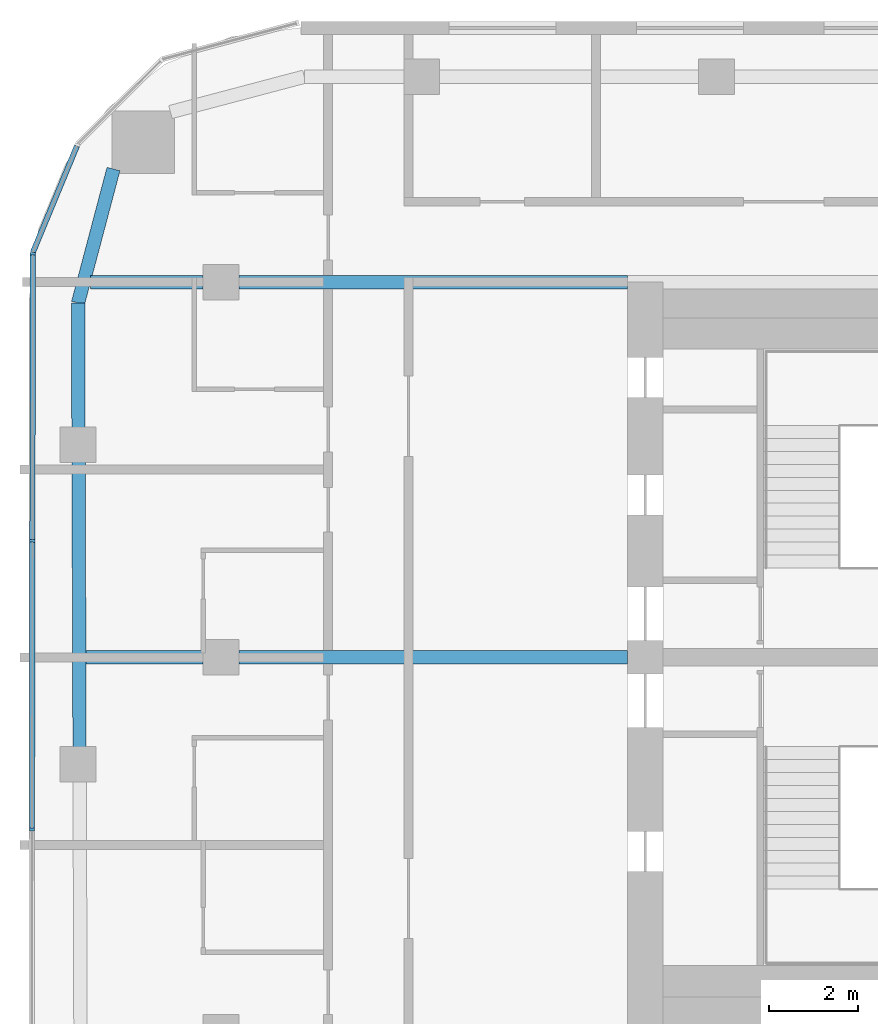
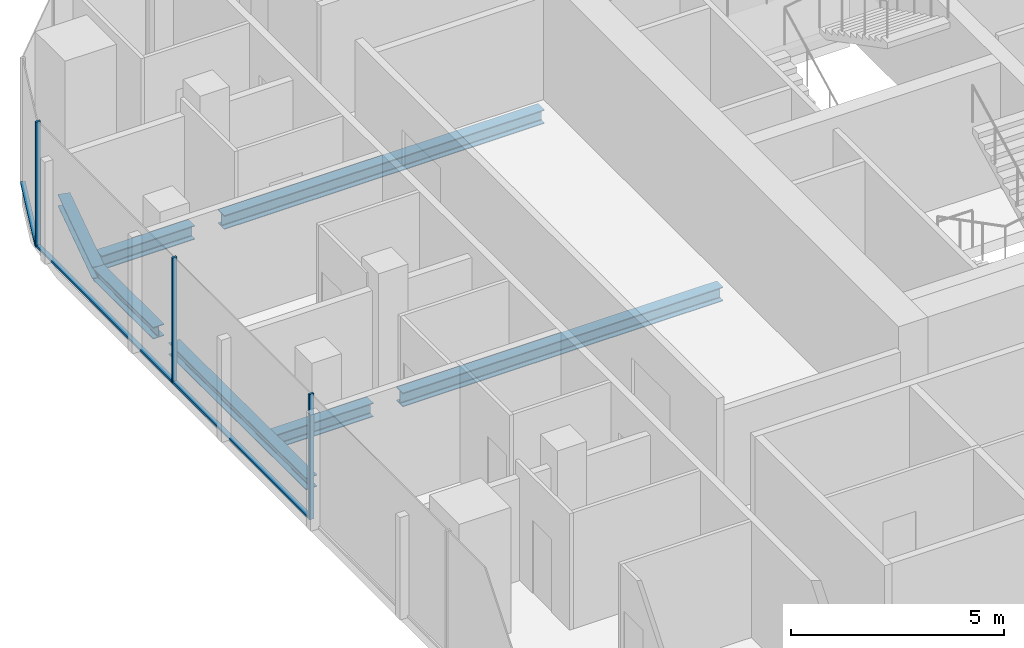
# One storey, part 8 of 22: 7 beams, 6 members, 2 elements without a shape of their own.
"""IFC4 building model written with IfcOpenShell, lengths in metres."""

from ifc_helpers import new_model, si_unit, direction, frame, origin, origin_2d, place, context, subcontext, project, spatial, rectangle, i_section, extrude, material, layer, layer_set, material_profile, profile_set, type_object, element, aggregate, save


model = new_model("IFC4")

# Units and contexts
model_context = context("Model", 3, precision=1e-05, world=origin(), true_north=direction((0.0, 1.0)))
body_context = subcontext(model_context, "Body", "Model", "MODEL_VIEW")
ifc_project = project(units=[si_unit("LENGTHUNIT", "METRE"), si_unit("AREAUNIT", "SQUARE_METRE"), si_unit("VOLUMEUNIT", "CUBIC_METRE"), si_unit("PLANEANGLEUNIT", "RADIAN"), si_unit("MASSUNIT", "GRAM", prefix="KILO")], contexts=[model_context])

# Site, building, storey
site_placement = place(None, origin())
site = spatial("IfcSite", under=ifc_project, at=site_placement, CompositionType="ELEMENT")
building_placement = place(site_placement, origin())
building = spatial("IfcBuilding", under=site, at=building_placement, Name="Marenta Gate Hotel Tower", CompositionType="ELEMENT")
storey_placement = place(building_placement, frame((0.0, 0.0, 230.89990234375)))
storey = spatial("IfcBuildingStorey", under=building, at=storey_placement, Name="L54", CompositionType="ELEMENT", Elevation=230.89990234375)

# Beams
ifc_material_1 = material(Name="Steel S355", Category="steel")
ifc_material_profile_1 = material_profile(ifc_material_1, i_section(OverallWidth=0.300048828125, OverallDepth=0.340087890625, WebThickness=0.011962890625, FlangeThickness=0.021484375, FilletRadius=0.027099609375, at=origin_2d()), Name="HEB 340")
ifc_profile_set_1 = profile_set([ifc_material_profile_1], Name="Steel S355")
beam_type_1 = type_object("IfcBeamType", Name="Edge beam HEB 340", PredefinedType="SPANDREL", material=ifc_profile_set_1)
beam_1_placement = place(storey_placement, frame((-24.166748046875, 6.36328125, -0.429931640625), z_axis=(-0.00333963982, 0.999994423387, 0.0), x_axis=(-0.999994423387, -0.00333963982, 0.0)))
element("IfcBeam", 1, at=beam_1_placement, inside=storey, type_object=beam_type_1, Name="L54-EB-9", PredefinedType="SPANDREL", context=body_context, shape_type="SweptSolid", body=[
    extrude(i_section(OverallWidth=0.300048828125, OverallDepth=0.340087890625, WebThickness=0.011962890625, FlangeThickness=0.021484375, FilletRadius=0.027099609375, at=origin_2d()), origin(), (0.0, 0.0, 1.0), 6.43310546875),
])
beam_2_placement = place(storey_placement, frame((-24.190673828125, 13.516357421875, -0.429931640625), z_axis=(-0.003292020626, 0.999994581285, 0.0), x_axis=(-0.999994581285, -0.003292020626, 0.0)))
element("IfcBeam", 2, at=beam_2_placement, inside=storey, type_object=beam_type_1, Name="L54-EB-10", PredefinedType="SPANDREL", context=body_context, shape_type="SweptSolid", body=[
    extrude(i_section(OverallWidth=0.300048828125, OverallDepth=0.340087890625, WebThickness=0.011962890625, FlangeThickness=0.021484375, FilletRadius=0.027099609375, at=origin_2d()), origin(), (0.0, 0.0, 1.0), 2.818115234375),
])
beam_3_placement = place(storey_placement, frame((-24.199951171875, 16.33447265625, -0.429931640625), z_axis=(0.255648013319, 0.966769927794, 0.0), x_axis=(-0.966769927794, 0.255648013319, 0.0)))
element("IfcBeam", 3, at=beam_3_placement, inside=storey, type_object=beam_type_1, Name="L54-EB-11", PredefinedType="SPANDREL", context=body_context, shape_type="SweptSolid", body=[
    extrude(i_section(OverallWidth=0.300048828125, OverallDepth=0.340087890625, WebThickness=0.011962890625, FlangeThickness=0.021484375, FilletRadius=0.027099609375, at=origin_2d()), origin(), (0.0, 0.0, 1.0), 3.100830078125),
])
ifc_material_2 = material(Name="Steel S355", Category="steel")
ifc_material_profile_2 = material_profile(ifc_material_2, i_section(OverallWidth=0.300048828125, OverallDepth=0.39990234375, WebThickness=0.013427734375, FlangeThickness=0.02392578125, FilletRadius=0.027099609375, at=origin_2d()), Name="HEB 400")
ifc_profile_set_2 = profile_set([ifc_material_profile_2], Name="Steel S355")
beam_type_2 = type_object("IfcBeamType", Name="Girder HEB 400", PredefinedType="BEAM", material=ifc_profile_set_2)
beam_4_placement = place(storey_placement, frame((-24.023681640625, 8.39990234375, -0.4599609375), z_axis=(1.0, 0.0, 0.0), x_axis=(0.0, 1.0, 0.0)))
element("IfcBeam", 4, at=beam_4_placement, inside=storey, type_object=beam_type_2, Name="L54-GD-25", PredefinedType="BEAM", context=body_context, shape_type="SweptSolid", body=[
    extrude(i_section(OverallWidth=0.300048828125, OverallDepth=0.39990234375, WebThickness=0.013427734375, FlangeThickness=0.02392578125, FilletRadius=0.027099609375, at=origin_2d()), origin(), (0.0, 0.0, 1.0), 2.623779296875),
])
beam_5_placement = place(storey_placement, frame((-20.60009765625, 8.39990234375, -0.4599609375), z_axis=(1.0, 0.0, 0.0), x_axis=(0.0, 1.0, 0.0)))
element("IfcBeam", 5, at=beam_5_placement, inside=storey, type_object=beam_type_2, Name="L54-GD-26", PredefinedType="BEAM", context=body_context, shape_type="SweptSolid", body=[
    extrude(i_section(OverallWidth=0.300048828125, OverallDepth=0.39990234375, WebThickness=0.013427734375, FlangeThickness=0.02392578125, FilletRadius=0.027099609375, at=origin_2d()), origin(), (0.0, 0.0, 1.0), 8.7001953125),
])
beam_6_placement = place(storey_placement, frame((-23.921630859375, 16.800048828125, -0.4599609375), z_axis=(1.0, 0.0, 0.0), x_axis=(0.0, 1.0, 0.0)))
element("IfcBeam", 6, at=beam_6_placement, inside=storey, type_object=beam_type_2, Name="L54-GD-29", PredefinedType="BEAM", context=body_context, shape_type="SweptSolid", body=[
    extrude(i_section(OverallWidth=0.300048828125, OverallDepth=0.39990234375, WebThickness=0.013427734375, FlangeThickness=0.02392578125, FilletRadius=0.027099609375, at=origin_2d()), origin(), (0.0, 0.0, 1.0), 2.521728515625),
])
beam_7_placement = place(storey_placement, frame((-20.60009765625, 16.800048828125, -0.4599609375), z_axis=(1.0, 0.0, 0.0), x_axis=(0.0, 1.0, 0.0)))
element("IfcBeam", 7, at=beam_7_placement, inside=storey, type_object=beam_type_2, Name="L54-GD-30", PredefinedType="BEAM", context=body_context, shape_type="SweptSolid", body=[
    extrude(i_section(OverallWidth=0.300048828125, OverallDepth=0.39990234375, WebThickness=0.013427734375, FlangeThickness=0.02392578125, FilletRadius=0.027099609375, at=origin_2d()), origin(), (0.0, 0.0, 1.0), 8.7001953125),
])

# Curtain wall, members
ifc_material_3 = material(Name="Tinted insulated glass in bronze anodised frame", Category="glass")
ifc_layer = layer(ifc_material_3, 0.1201171875)
ifc_layer_set = layer_set([ifc_layer], Name="Tinted insulated glass in bronze anodised frame")
curtain_wall_type = type_object("IfcCurtainWallType", Name="Tower unitised curtain wall CW1", PredefinedType="NOTDEFINED", material=ifc_layer_set)
curtain_wall_1_placement = place(storey_placement, origin())
curtain_wall_1 = element("IfcCurtainWall", 8, at=curtain_wall_1_placement, inside=storey, type_object=curtain_wall_type, Name="CW1 run G03", PredefinedType="NOTDEFINED")
ifc_material_4 = material(Name="Bronze anodised aluminium", Category="aluminium")
ifc_material_profile_3 = material_profile(ifc_material_4, rectangle(XDim=0.1201171875, YDim=0.06005859375, at=origin_2d()), Name="Mullion CW1 60x120 bronze anodised aluminium")
ifc_profile_set_3 = profile_set([ifc_material_profile_3], Name="Bronze anodised aluminium")
member_type_1 = type_object("IfcMemberType", Name="Mullion CW1 60x120 bronze anodised aluminium", PredefinedType="MULLION", material=ifc_profile_set_3)
member_1_placement = place(storey_placement, frame((-25.21240234375, 17.436279296875, 0.0), z_axis=(0.0, 0.0, 1.0), x_axis=(0.99999877375, -0.001566045546, 0.0)))
member_1 = element("IfcMember", 9, at=member_1_placement, type_object=member_type_1, Name="CW1 mullion 1", PredefinedType="MULLION", context=body_context, shape_type="SweptSolid", body=[
    extrude(rectangle(XDim=0.1201171875, YDim=0.06005859375, at=origin_2d()), origin(), (0.0, 0.0, 1.0), 3.60009765625),
])
member_2_placement = place(storey_placement, frame((-25.222412109375, 11.006103515625, 0.0), z_axis=(0.0, 0.0, 1.0), x_axis=(0.99999877375, -0.001566045546, 0.0)))
member_2 = element("IfcMember", 10, at=member_2_placement, type_object=member_type_1, Name="CW1 mullion 2", PredefinedType="MULLION", context=body_context, shape_type="SweptSolid", body=[
    extrude(rectangle(XDim=0.1201171875, YDim=0.06005859375, at=origin_2d()), origin(), (0.0, 0.0, 1.0), 3.60009765625),
])
member_3_placement = place(storey_placement, frame((-25.232421875, 4.546142578125, 0.0), z_axis=(0.0, 0.0, 1.0), x_axis=(0.99999877375, -0.001566045546, 0.0)))
member_3 = element("IfcMember", 11, at=member_3_placement, type_object=member_type_1, Name="CW1 mullion 3", PredefinedType="MULLION", context=body_context, shape_type="SweptSolid", body=[
    extrude(rectangle(XDim=0.1201171875, YDim=0.06005859375, at=origin_2d()), origin(), (0.0, 0.0, 1.0), 3.60009765625),
])

# Curtain wall, member
curtain_wall_2_placement = place(storey_placement, origin())
curtain_wall_2 = element("IfcCurtainWall", 12, at=curtain_wall_2_placement, inside=storey, type_object=curtain_wall_type, Name="CW1 run G02", PredefinedType="NOTDEFINED")
ifc_material_5 = material(Name="Bronze anodised aluminium", Category="aluminium")
ifc_material_profile_4 = material_profile(ifc_material_5, rectangle(XDim=0.1201171875, YDim=0.06005859375, at=origin_2d()), Name="Transom CW1 60x120 bronze anodised aluminium")
ifc_profile_set_4 = profile_set([ifc_material_profile_4], Name="Bronze anodised aluminium")
member_type_2 = type_object("IfcMemberType", Name="Transom CW1 60x120 bronze anodised aluminium", PredefinedType="USERDEFINED", material=ifc_profile_set_4)
member_4_placement = place(storey_placement, frame((-24.2265625, 19.845947265625, 0.030029296875), z_axis=(-0.382736860682, -0.923857399968, 0.0), x_axis=(0.923857399968, -0.382736860682, 0.0)))
member_4 = element("IfcMember", 13, at=member_4_placement, type_object=member_type_2, Name="CW1 transom 1.1", ObjectType="TRANSOM", PredefinedType="USERDEFINED", context=body_context, shape_type="SweptSolid", body=[
    extrude(rectangle(XDim=0.1201171875, YDim=0.06005859375, at=origin_2d()), origin(), (0.0, 0.0, 1.0), 2.57568359375),
])
aggregate(curtain_wall_2, [member_4])

# Member
member_5_placement = place(storey_placement, frame((-25.21240234375, 17.40625, 0.030029296875), z_axis=(-0.00157136093, -0.999998765412, 0.0), x_axis=(0.999998765412, -0.00157136093, 0.0)))
member_5 = element("IfcMember", 14, at=member_5_placement, type_object=member_type_2, Name="CW1 transom 1.1", ObjectType="TRANSOM", PredefinedType="USERDEFINED", context=body_context, shape_type="SweptSolid", body=[
    extrude(rectangle(XDim=0.1201171875, YDim=0.06005859375, at=origin_2d()), origin(), (0.0, 0.0, 1.0), 6.3701171875),
])

member_6_placement = place(storey_placement, frame((-25.222412109375, 10.976318359375, 0.030029296875), z_axis=(-0.001563988169, -0.99999877697, 0.0), x_axis=(0.99999877697, -0.001563988169, 0.0)))
member_6 = element("IfcMember", 15, at=member_6_placement, type_object=member_type_2, Name="CW1 transom 2.1", ObjectType="TRANSOM", PredefinedType="USERDEFINED", context=body_context, shape_type="SweptSolid", body=[
    extrude(rectangle(XDim=0.1201171875, YDim=0.06005859375, at=origin_2d()), origin(), (0.0, 0.0, 1.0), 6.400146484375),
])

aggregate(curtain_wall_1, [member_1, member_2, member_3, member_5, member_6])

save(model, "model.ifc")
